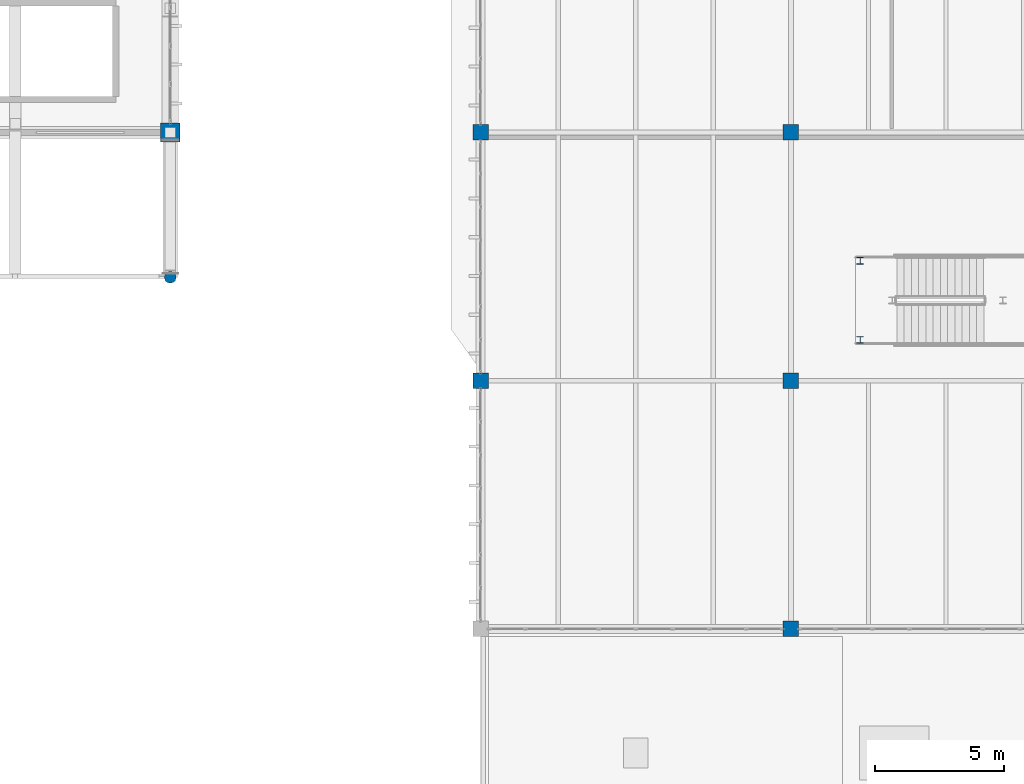
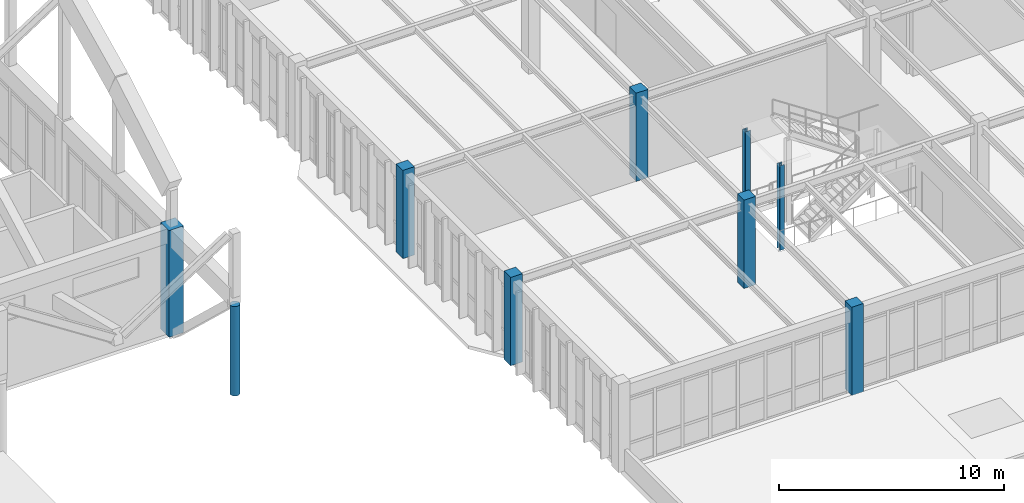
# One storey, part 4 of 236: 9 columns.
"""IFC4 building model written with IfcOpenShell, lengths in metres."""

from ifc_helpers import new_model, si_unit, direction, frame, origin, origin_2d, place, context, subcontext, project, spatial, rectangle, circle, i_section, extrude, material, material_profile, profile_set, type_object, element, save


model = new_model("IFC4")

# Units and contexts
model_context = context("Model", 3, precision=1e-05, world=origin(), true_north=direction((0.0, 1.0)))
body_context = subcontext(model_context, "Body", "Model", "MODEL_VIEW")
ifc_project = project(units=[si_unit("LENGTHUNIT", "METRE"), si_unit("AREAUNIT", "SQUARE_METRE"), si_unit("VOLUMEUNIT", "CUBIC_METRE"), si_unit("PLANEANGLEUNIT", "RADIAN"), si_unit("MASSUNIT", "GRAM", prefix="KILO")], contexts=[model_context])

# Site, building, storey
site_placement = place(None, origin())
site = spatial("IfcSite", under=ifc_project, at=site_placement, CompositionType="ELEMENT")
building_placement = place(site_placement, origin())
building = spatial("IfcBuilding", under=site, at=building_placement, Name="Pandanus Reach Market Hall", CompositionType="ELEMENT")
storey_placement = place(building_placement, frame((0.0, 0.0, 5.39990234375)))
storey = spatial("IfcBuildingStorey", under=building, at=storey_placement, Name="L01", CompositionType="ELEMENT", Elevation=5.39990234375)

# Columns
ifc_material_1 = material(Name="Concrete N40 (40 MPa)", Category="concrete")
ifc_material_profile_1 = material_profile(ifc_material_1, rectangle(XDim=0.60009765625, YDim=0.60009765625, at=origin_2d()), Name="RC600x600", Category="LoadBearing")
ifc_profile_set_1 = profile_set([ifc_material_profile_1], Name="Concrete N40 (40 MPa)")
column_type_1 = type_object("IfcColumnType", Name="CL-RC600-E", PredefinedType="COLUMN", material=ifc_profile_set_1)
for number, where, z_axis, x_axis, name in (
    (1, (144.0, 19.199951171875, 0.0), (0.0, 0.0, 1.0), (1.0, 0.0, 0.0), "Column CL-RC600-E V4-144-192 L01"),
    (2, (144.0, 28.800048828125, 0.0), (0.0, 0.0, 1.0), (1.0, 0.0, 0.0), "Column CL-RC600-E V4-144-288 L01"),
):
    element("IfcColumn", number, at=place(storey_placement, frame(where, z_axis=z_axis, x_axis=x_axis)), inside=storey, type_object=column_type_1, Name=name, PredefinedType="COLUMN", context=body_context, shape_type="SweptSolid", body=[
        extrude(rectangle(XDim=0.60009765625, YDim=0.60009765625, at=origin_2d()), origin(), (0.0, 0.0, 1.0), 4.800048828125),
    ])
ifc_material_profile_2 = material_profile(ifc_material_1, rectangle(XDim=0.60009765625, YDim=0.60009765625, at=origin_2d()), Name="RC600x600", Category="LoadBearing")
ifc_profile_set_2 = profile_set([ifc_material_profile_2], Name="Concrete N40 (40 MPa)")
column_type_2 = type_object("IfcColumnType", Name="CL-RC600-I", PredefinedType="COLUMN", material=ifc_profile_set_2)
for number, where, z_axis, x_axis, name in (
    (3, (156.0, 9.60009765625, 0.0), (0.0, 0.0, 1.0), (1.0, 0.0, 0.0), "Column CL-RC600-I V4-156-96 L01"),
    (4, (156.0, 19.199951171875, 0.0), (0.0, 0.0, 1.0), (1.0, 0.0, 0.0), "Column CL-RC600-I V4-156-192 L01"),
    (5, (156.0, 28.800048828125, 0.0), (0.0, 0.0, 1.0), (1.0, 0.0, 0.0), "Column CL-RC600-I V4-156-288 L01"),
):
    element("IfcColumn", number, at=place(storey_placement, frame(where, z_axis=z_axis, x_axis=x_axis)), inside=storey, type_object=column_type_2, Name=name, PredefinedType="COLUMN", context=body_context, shape_type="SweptSolid", body=[
        extrude(rectangle(XDim=0.60009765625, YDim=0.60009765625, at=origin_2d()), origin(), (0.0, 0.0, 1.0), 4.800048828125),
    ])
ifc_material_2 = material(Name="Concrete N50 (50 MPa)", Category="concrete")
ifc_material_profile_3 = material_profile(ifc_material_2, rectangle(XDim=0.75, YDim=0.75, at=origin_2d()), Name="RC750x750", Category="LoadBearing")
ifc_profile_set_3 = profile_set([ifc_material_profile_3], Name="Concrete N50 (50 MPa)")
column_type_3 = type_object("IfcColumnType", Name="CL-RC750-E", PredefinedType="COLUMN", material=ifc_profile_set_3)
column_1_placement = place(storey_placement, frame((132.0, 28.800048828125, 0.0), z_axis=(0.0, 0.0, 1.0), x_axis=(1.0, 0.0, 0.0)))
element("IfcColumn", 6, at=column_1_placement, inside=storey, type_object=column_type_3, Name="Column CL-RC750-E V1A-132-288 L01", PredefinedType="COLUMN", context=body_context, shape_type="SweptSolid", body=[
    extrude(rectangle(XDim=0.75, YDim=0.75, at=origin_2d()), origin(), (0.0, 0.0, 1.0), 5.800048828125),
])
ifc_material_3 = material(Name="Steel Grade 350 (350 MPa)", Category="steel")
ifc_material_profile_4 = material_profile(ifc_material_3, i_section(OverallWidth=0.25390625, OverallDepth=0.25390625, WebThickness=0.008544921875, FlangeThickness=0.01416015625, at=origin_2d()), Name="250UC72.9", Category="LoadBearing")
ifc_profile_set_4 = profile_set([ifc_material_profile_4], Name="Steel Grade 350 (350 MPa)")
column_type_4 = type_object("IfcColumnType", Name="CL-UC250-I", PredefinedType="COLUMN", material=ifc_profile_set_4)
for number, where, z_axis, x_axis, name in (
    (7, (158.679931640625, 20.780029296875, 0.0), (0.0, 0.0, 1.0), (1.0, 0.0, 0.0), "Feature stair landing post ST-11.L01.4"),
    (8, (158.679931640625, 23.840087890625, 0.0), (0.0, 0.0, 1.0), (1.0, 0.0, 0.0), "Feature stair landing post ST-11.L01.5"),
):
    element("IfcColumn", number, at=place(storey_placement, frame(where, z_axis=z_axis, x_axis=x_axis)), inside=storey, type_object=column_type_4, Name=name, PredefinedType="COLUMN", context=body_context, shape_type="SweptSolid", body=[
        extrude(i_section(OverallWidth=0.25390625, OverallDepth=0.25390625, WebThickness=0.008544921875, FlangeThickness=0.01416015625, at=origin_2d()), origin(), (0.0, 0.0, 1.0), 4.60009765625),
    ])
ifc_material_4 = material(Name="Precast concrete S50 (50 MPa)", Category="concrete")
ifc_material_profile_5 = material_profile(ifc_material_4, circle(Radius=0.22509765625, at=origin_2d()), Name="RC450D", Category="LoadBearing")
ifc_profile_set_5 = profile_set([ifc_material_profile_5], Name="Precast concrete S50 (50 MPa)")
column_type_5 = type_object("IfcColumnType", Name="PL-RC450-E", PredefinedType="PILASTER", material=ifc_profile_set_5)
column_2_placement = place(storey_placement, frame((132.0, 23.199951171875, 0.0), z_axis=(0.0, 0.0, 1.0), x_axis=(1.0, 0.0, 0.0)))
element("IfcColumn", 9, at=column_2_placement, inside=storey, type_object=column_type_5, Name="Arcade upper pilaster P8.L01", PredefinedType="PILASTER", context=body_context, shape_type="SweptSolid", body=[
    extrude(circle(Radius=0.22509765625, at=origin_2d()), origin(), (0.0, 0.0, 1.0), 4.860107421875),
])

save(model, "model.ifc")
